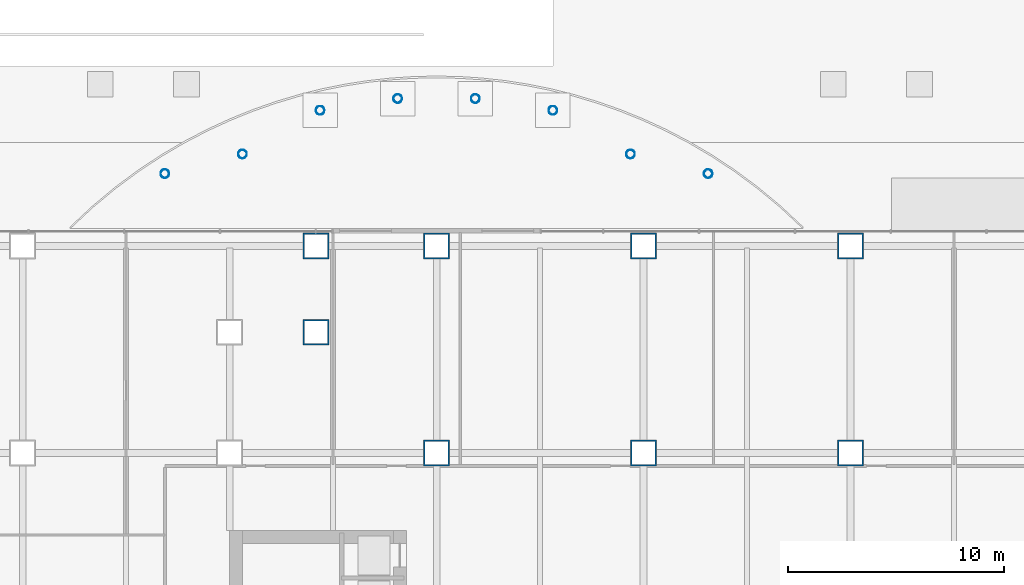
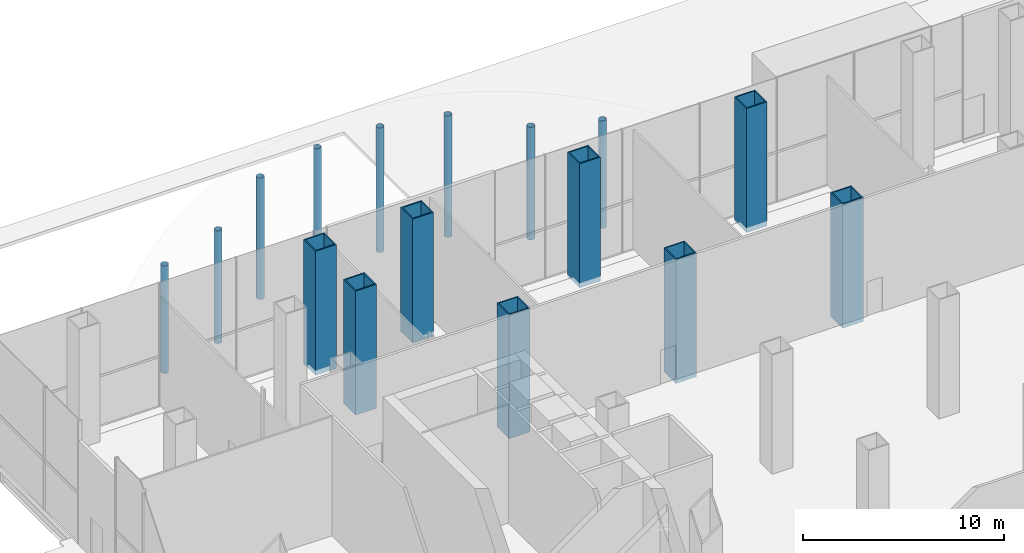
# One storey, part 6 of 36: 16 columns.
"""IFC4 building model written with IfcOpenShell, lengths in metres."""

import ifcopenshell
import ifcopenshell.guid

model = None  # the IFC model being written
_history = None  # IfcOwnerHistory: only IFC2X3 demands one
_inside = {}  # id of a spatial element -> (the spatial element, [elements in it])
_under = {}  # id of a project, library or spatial element -> (it, [spatial elements below it])
_declared = {}  # id of a project -> (the project, [libraries it declares])
_typed = {}  # id of a type object -> (the type object, [elements of that type])
_made_of = {}  # id of a material, layer set ... -> (it, [elements and type objects made of it])


def new_model(schema):
    """Start an empty IFC model of exactly this schema.

    Asked for "IFC4X3", IfcOpenShell would pick the latest addendum, in which some entities
    have other attributes; the version numbers below select the first issue.
    IFC2X3 requires an IfcOwnerHistory on every rooted entity: one is made here for all.
    """
    global model, _history
    if schema == "IFC4X3":
        model = ifcopenshell.file(schema_version=(4, 3, 0, 0))
    else:
        model = ifcopenshell.file(schema=schema)
    _inside.clear()
    _under.clear()
    _declared.clear()
    _typed.clear()
    _made_of.clear()
    _history = None
    if model.schema == "IFC2X3":
        org = make("IfcOrganization", Name="unknown")
        user = make(
            "IfcPersonAndOrganization",
            ThePerson=make("IfcPerson", FamilyName="unknown"),
            TheOrganization=org,
        )
        app = make(
            "IfcApplication",
            ApplicationDeveloper=org,
            Version="unknown",
            ApplicationFullName="unknown",
            ApplicationIdentifier="unknown",
        )
        _history = make(
            "IfcOwnerHistory",
            OwningUser=user,
            OwningApplication=app,
            ChangeAction="ADDED",
            CreationDate=0,
        )
    return model


def make(cls, **values):
    """One entity of the class cls with the attributes given. An attribute that is None is left unset."""
    return model.create_entity(
        cls, **{name: value for name, value in values.items() if value is not None}
    )


def rooted(cls, **values):
    """An entity with a GlobalId (a new one), such as an element, a storey or a relation."""
    return make(cls, GlobalId=ifcopenshell.guid.new(), OwnerHistory=_history, **values)


def si_unit(unit_type, name, prefix=None):
    """IfcSIUnit, for example si_unit("LENGTHUNIT", "METRE", prefix="MILLI")."""
    return make("IfcSIUnit", UnitType=unit_type, Prefix=prefix, Name=name)


def assignment(units):
    """IfcUnitAssignment: the units of a project."""
    return None if units is None else make("IfcUnitAssignment", Units=units)


def point(xyz):
    """IfcCartesianPoint."""
    return None if xyz is None else make("IfcCartesianPoint", Coordinates=xyz)


def direction(xyz):
    """IfcDirection."""
    return None if xyz is None else make("IfcDirection", DirectionRatios=xyz)


def frame(location, z_axis=None, x_axis=None):
    """IfcAxis2Placement3D, a coordinate frame: its origin and axes. An axis left out is left unset."""
    return make(
        "IfcAxis2Placement3D",
        Location=point(location),
        Axis=direction(z_axis),
        RefDirection=direction(x_axis),
    )


def frame_2d(location, x_axis=None):
    """IfcAxis2Placement2D, a coordinate frame in the plane: its origin and x axis."""
    return make(
        "IfcAxis2Placement2D", Location=point(location), RefDirection=direction(x_axis)
    )


def origin():
    """The frame at (0, 0, 0) with its axes left unset."""
    return frame((0.0, 0.0, 0.0))


def origin_2d():
    """The frame at (0, 0) in the plane with its x axis left unset."""
    return frame_2d((0.0, 0.0))


def place(relative_to, where):
    """IfcLocalPlacement: puts the frame where relative to a parent placement (None: the world)."""
    return make(
        "IfcLocalPlacement", PlacementRelTo=relative_to, RelativePlacement=where
    )


def context(
    kind, dimensions, precision=None, world=None, true_north=None, identifier=None
):
    """IfcGeometricRepresentationContext, for example the 3D "Model" context."""
    return make(
        "IfcGeometricRepresentationContext",
        ContextIdentifier=identifier,
        ContextType=kind,
        CoordinateSpaceDimension=dimensions,
        Precision=precision,
        WorldCoordinateSystem=world,
        TrueNorth=true_north,
    )


def subcontext(parent, identifier, kind, view, scale=None):
    """IfcGeometricRepresentationSubContext, for example "Body" below "Model"."""
    return make(
        "IfcGeometricRepresentationSubContext",
        ContextIdentifier=identifier,
        ContextType=kind,
        ParentContext=parent,
        TargetScale=scale,
        TargetView=view,
    )


def project(units=None, contexts=None):
    """IfcProject with its units and contexts."""
    return rooted(
        "IfcProject",
        Name="project",
        RepresentationContexts=contexts,
        UnitsInContext=assignment(units),
    )


def spatial(cls, under=None, at=None, **own):
    """A site, building, storey or space (cls), placed at a placement, below another one or the project."""
    s = rooted(cls, ObjectPlacement=at, **own)
    if under is not None:
        _under.setdefault(under.id(), (under, []))[1].append(s)
    return s


def profile(cls, at=None, kind="AREA", **sizes):
    """A parametric profile (cls). Its sizes go by their IFC names, for example OverallWidth=200.0."""
    return make(cls, ProfileType=kind, Position=at, **sizes)


def hollow_rectangle(**sizes):
    """IfcRectangleHollowProfileDef."""
    return profile("IfcRectangleHollowProfileDef", **sizes)


def hollow_circle(**sizes):
    """IfcCircleHollowProfileDef."""
    return profile("IfcCircleHollowProfileDef", **sizes)


def extrude(swept, where, along, depth):
    """IfcExtrudedAreaSolid: the profile swept, set in the frame where, extruded along a direction by depth."""
    return make(
        "IfcExtrudedAreaSolid",
        SweptArea=swept,
        Position=where,
        ExtrudedDirection=direction(along),
        Depth=depth,
    )


def shape(context_of_items, identifier, shape_type, items):
    """IfcShapeRepresentation: the items that make up one representation, for example the "Body"."""
    return make(
        "IfcShapeRepresentation",
        ContextOfItems=context_of_items,
        RepresentationIdentifier=identifier,
        RepresentationType=shape_type,
        Items=items,
    )


def material(Name=None, Category=None):
    """IfcMaterial."""
    return make("IfcMaterial", Name=Name, Category=Category)


def material_profile(
    of_material, cross_section, Name=None, Category=None, Priority=None
):
    """IfcMaterialProfile: a cross section and its material."""
    return make(
        "IfcMaterialProfile",
        Name=Name,
        Material=of_material,
        Profile=cross_section,
        Priority=Priority,
        Category=Category,
    )


def profile_set(profiles, Name=None, composite=None):
    """IfcMaterialProfileSet."""
    return make(
        "IfcMaterialProfileSet",
        Name=Name,
        MaterialProfiles=profiles,
        CompositeProfile=composite,
    )


def made_of(thing, what):
    """Note that an element or type object is made of a material, layer set ...; save() writes the relation."""
    if what is not None:
        _made_of.setdefault(what.id(), (what, []))[1].append(thing)
    return thing


def type_object(cls, material=None, **own):
    """A type object (cls), such as IfcWallType, which elements share."""
    return made_of(rooted(cls, **own), material)


def element(
    cls,
    number,
    at=None,
    inside=None,
    cuts=None,
    type_object=None,
    material=None,
    context=None,
    identifier="Body",
    shape_type=None,
    held_by="IfcProductDefinitionShape",
    body=None,
    shapes=None,
    **own,
):
    """One element of the class cls, such as IfcWall. Its Tag is "e" and its number.

    at: its placement. inside: the storey or other place that contains it. cuts: it is an
    opening in that element (IfcRelVoidsElement). A single representation is given by context,
    identifier, shape_type and body (its items); several are given by shapes. held_by: the class
    of the entity that holds the representations. save() writes the other relations.
    """
    e = rooted(cls, Tag="e%d" % number, ObjectPlacement=at, **own)
    if body is not None:
        shapes = [shape(context, identifier, shape_type, body)]
    if shapes is not None:
        e.Representation = make(held_by, Representations=shapes)
    if inside is not None:
        _inside.setdefault(inside.id(), (inside, []))[1].append(e)
    if cuts is not None:
        rooted(
            "IfcRelVoidsElement", RelatingBuildingElement=cuts, RelatedOpeningElement=e
        )
    if type_object is not None:
        _typed.setdefault(type_object.id(), (type_object, []))[1].append(e)
    return made_of(e, material)


def aggregate(whole, parts):
    """IfcRelAggregates: a whole, such as a stair, and the parts it consists of."""
    return rooted("IfcRelAggregates", RelatingObject=whole, RelatedObjects=parts)


def save(model, path):
    """Write the relations noted so far, then the file.

    IfcRelAggregates (storeys below a building ...), IfcRelContainedInSpatialStructure (elements
    in a storey), IfcRelDefinesByType, IfcRelAssociatesMaterial and IfcRelDeclares: one each for
    every whole, place, type object, material and project.
    """
    for whole, parts in _under.values():
        aggregate(whole, parts)
    for where, things in _inside.values():
        rooted(
            "IfcRelContainedInSpatialStructure",
            RelatedElements=things,
            RelatingStructure=where,
        )
    for kind, things in _typed.values():
        rooted("IfcRelDefinesByType", RelatedObjects=things, RelatingType=kind)
    for what, things in _made_of.values():
        rooted("IfcRelAssociatesMaterial", RelatedObjects=things, RelatingMaterial=what)
    for by, libraries in _declared.values():
        rooted("IfcRelDeclares", RelatingContext=by, RelatedDefinitions=libraries)
    model.write(path)


model = new_model("IFC4")

# Units and contexts
model_context = context("Model", 3, precision=1e-05, world=origin(), true_north=direction((0.0, 1.0)))
body_context = subcontext(model_context, "Body", "Model", "MODEL_VIEW")
ifc_project = project(units=[si_unit("LENGTHUNIT", "METRE"), si_unit("AREAUNIT", "SQUARE_METRE"), si_unit("VOLUMEUNIT", "CUBIC_METRE"), si_unit("PLANEANGLEUNIT", "RADIAN"), si_unit("MASSUNIT", "GRAM", prefix="KILO")], contexts=[model_context])

# Site, building, storey
site_placement = place(None, origin())
site = spatial("IfcSite", under=ifc_project, at=site_placement, CompositionType="ELEMENT")
building_placement = place(site_placement, origin())
building = spatial("IfcBuilding", under=site, at=building_placement, Name="Cobrizo Arcos Hotel Tower", CompositionType="ELEMENT")
storey_placement = place(building_placement, origin())
storey = spatial("IfcBuildingStorey", under=building, at=storey_placement, Name="L00", CompositionType="ELEMENT", Elevation=0.0)

# Columns
ifc_material_1 = material(Name="Steel ASTM A572 Grade 50", Category="steel")
ifc_material_profile_1 = material_profile(ifc_material_1, hollow_rectangle(XDim=1.199951171875, YDim=1.199951171875, WallThickness=0.070068359375, at=origin_2d()), Name="BOX 1200X1200X70")
ifc_profile_set_1 = profile_set([ifc_material_profile_1], Name="Steel ASTM A572 Grade 50")
column_type_1 = type_object("IfcColumnType", Name="BOX 1200X1200X70 column", PredefinedType="COLUMN", material=ifc_profile_set_1)
for number, where, z_axis, x_axis, name in (
    (1, (-20.0, 24.0, -0.300048828125), (0.0, 0.0, 1.0), (1.0, 0.0, 0.0), "Perimeter column C1, L00, no. 07"),
    (2, (-14.39990234375, 24.0, -0.300048828125), (0.0, 0.0, 1.0), (1.0, 0.0, 0.0), "Perimeter column C1, L00, no. 09"),
    (3, (-4.800048828125, 24.0, -0.300048828125), (0.0, 0.0, 1.0), (1.0, 0.0, 0.0), "Perimeter column C1, L00, no. 11"),
    (4, (4.800048828125, 24.0, -0.300048828125), (0.0, 0.0, 1.0), (1.0, 0.0, 0.0), "Perimeter column C1, L00, no. 13"),
):
    element("IfcColumn", number, at=place(storey_placement, frame(where, z_axis=z_axis, x_axis=x_axis)), inside=storey, type_object=column_type_1, Name=name, PredefinedType="COLUMN", context=body_context, shape_type="SweptSolid", body=[
        extrude(hollow_rectangle(XDim=1.199951171875, YDim=1.199951171875, WallThickness=0.070068359375, at=origin_2d()), origin(), (0.0, 0.0, 1.0), 7.550048828125),
    ])
ifc_material_profile_2 = material_profile(ifc_material_1, hollow_rectangle(XDim=1.199951171875, YDim=1.199951171875, WallThickness=0.070068359375, at=origin_2d()), Name="BOX 1200X1200X70")
ifc_profile_set_2 = profile_set([ifc_material_profile_2], Name="Steel ASTM A572 Grade 50")
column_type_2 = type_object("IfcColumnType", Name="BOX 1200X1200X70 interior column", PredefinedType="COLUMN", material=ifc_profile_set_2)
for number, where, z_axis, x_axis, name in (
    (5, (-20.0, 20.0, -0.300048828125), (0.0, 0.0, 1.0), (1.0, 0.0, 0.0), "Interior column C2, L00, no. 05"),
    (6, (-14.39990234375, 14.39990234375, -0.300048828125), (0.0, 0.0, 1.0), (1.0, 0.0, 0.0), "Interior column C2, L00, no. 09"),
    (7, (-4.800048828125, 14.39990234375, -0.300048828125), (0.0, 0.0, 1.0), (1.0, 0.0, 0.0), "Interior column C2, L00, no. 13"),
    (8, (4.800048828125, 14.39990234375, -0.300048828125), (0.0, 0.0, 1.0), (1.0, 0.0, 0.0), "Interior column C2, L00, no. 17"),
):
    element("IfcColumn", number, at=place(storey_placement, frame(where, z_axis=z_axis, x_axis=x_axis)), inside=storey, type_object=column_type_2, Name=name, PredefinedType="COLUMN", context=body_context, shape_type="SweptSolid", body=[
        extrude(hollow_rectangle(XDim=1.199951171875, YDim=1.199951171875, WallThickness=0.070068359375, at=origin_2d()), origin(), (0.0, 0.0, 1.0), 7.550048828125),
    ])
ifc_material_2 = material(Name="Steel ASTM A500 Grade C", Category="steel")
ifc_material_profile_3 = material_profile(ifc_material_2, hollow_circle(Radius=0.203125, WallThickness=0.01171875, at=origin_2d()), Name="HSS16.000X0.500")
ifc_profile_set_3 = profile_set([ifc_material_profile_3], Name="Steel ASTM A500 Grade C")
column_type_3 = type_object("IfcColumnType", Name="HSS16.000X0.500 canopy column", PredefinedType="COLUMN", material=ifc_profile_set_3)
for number, where, z_axis, x_axis, name in (
    (9, (-16.199951171875, 30.832763671875, 0.0), (0.0, 0.0, 1.0), (1.0, 0.0, 0.0), "Porte-cochere column 1"),
    (10, (-12.60009765625, 30.832763671875, 0.0), (0.0, 0.0, 1.0), (1.0, 0.0, 0.0), "Porte-cochere column 2"),
):
    element("IfcColumn", number, at=place(storey_placement, frame(where, z_axis=z_axis, x_axis=x_axis)), inside=storey, type_object=column_type_3, Name=name, PredefinedType="COLUMN", context=body_context, shape_type="SweptSolid", body=[
        extrude(hollow_circle(Radius=0.203125, WallThickness=0.01171875, at=origin_2d()), origin(), (0.0, 0.0, 1.0), 7.58203125),
    ])
for number, where, z_axis, x_axis, name in (
    (11, (-19.800048828125, 30.288330078125, 0.0), (0.0, 0.0, 1.0), (1.0, 0.0, 0.0), "Porte-cochere column 3"),
    (12, (-9.0, 30.288330078125, 0.0), (0.0, 0.0, 1.0), (1.0, 0.0, 0.0), "Porte-cochere column 4"),
):
    element("IfcColumn", number, at=place(storey_placement, frame(where, z_axis=z_axis, x_axis=x_axis)), inside=storey, type_object=column_type_3, Name=name, PredefinedType="COLUMN", context=body_context, shape_type="SweptSolid", body=[
        extrude(hollow_circle(Radius=0.203125, WallThickness=0.01171875, at=origin_2d()), origin(), (0.0, 0.0, 1.0), 7.3876953125),
    ])
for number, where, z_axis, x_axis, name in (
    (13, (-23.39990234375, 28.259765625, -0.199951171875), (0.0, 0.0, 1.0), (1.0, 0.0, 0.0), "Porte-cochere column 5"),
    (14, (-5.39990234375, 28.259765625, -0.199951171875), (0.0, 0.0, 1.0), (1.0, 0.0, 0.0), "Porte-cochere column 6"),
):
    element("IfcColumn", number, at=place(storey_placement, frame(where, z_axis=z_axis, x_axis=x_axis)), inside=storey, type_object=column_type_3, Name=name, PredefinedType="COLUMN", context=body_context, shape_type="SweptSolid", body=[
        extrude(hollow_circle(Radius=0.203125, WallThickness=0.01171875, at=origin_2d()), origin(), (0.0, 0.0, 1.0), 6.863037109375),
    ])
for number, where, z_axis, x_axis, name in (
    (15, (-27.0, 27.351318359375, -0.199951171875), (0.0, 0.0, 1.0), (1.0, 0.0, 0.0), "Porte-cochere column 7"),
    (16, (-1.800048828125, 27.351318359375, -0.199951171875), (0.0, 0.0, 1.0), (1.0, 0.0, 0.0), "Porte-cochere column 8"),
):
    element("IfcColumn", number, at=place(storey_placement, frame(where, z_axis=z_axis, x_axis=x_axis)), inside=storey, type_object=column_type_3, Name=name, PredefinedType="COLUMN", context=body_context, shape_type="SweptSolid", body=[
        extrude(hollow_circle(Radius=0.203125, WallThickness=0.01171875, at=origin_2d()), origin(), (0.0, 0.0, 1.0), 6.53857421875),
    ])

save(model, "model.ifc")
